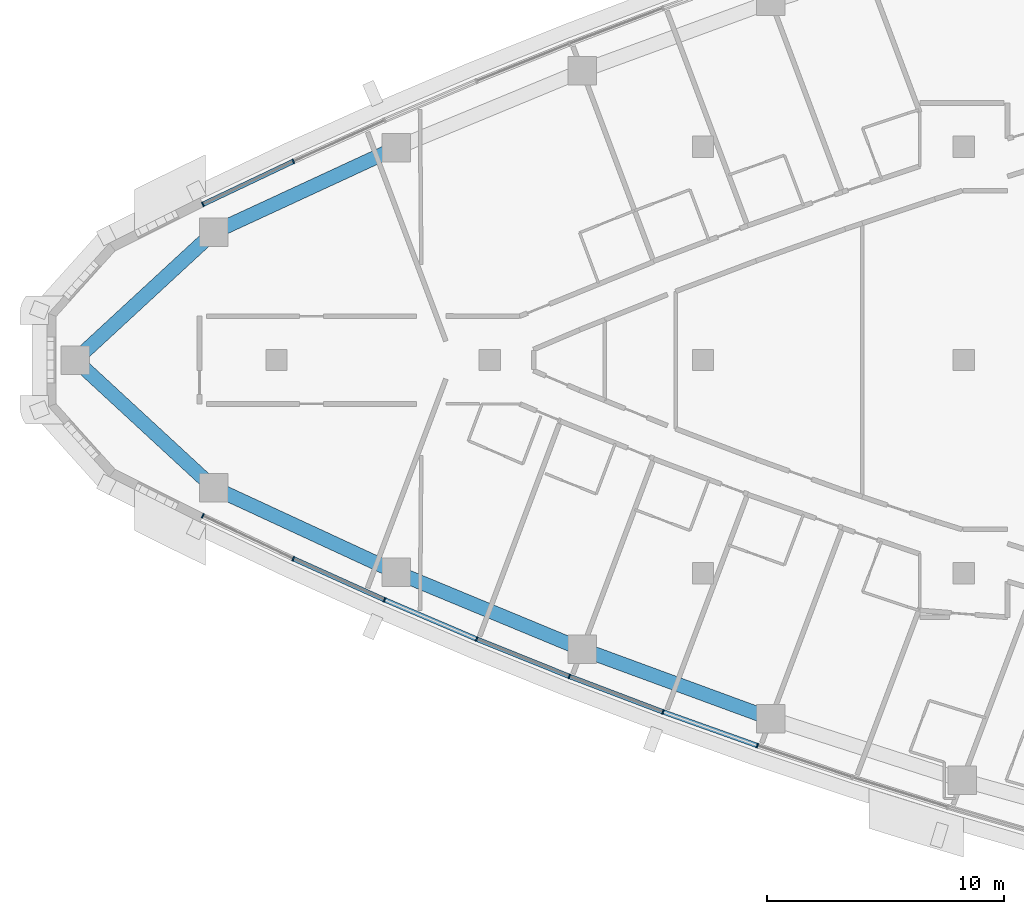
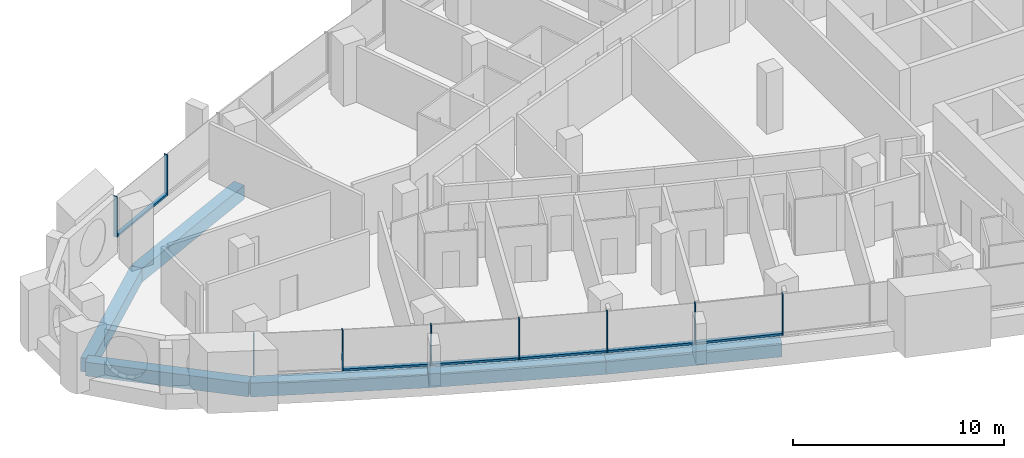
# One storey, part 2 of 16: 15 members, 6 beams, 4 elements without a shape of their own.
"""IFC4 building model written with IfcOpenShell, lengths in metres."""

from ifc_helpers import new_model, si_unit, direction, frame, origin, origin_2d, place, context, subcontext, project, spatial, rectangle, extrude, material, layer, layer_set, material_profile, profile_set, type_object, element, aggregate, save


model = new_model("IFC4")

# Units and contexts
model_context = context("Model", 3, precision=1e-05, world=origin(), true_north=direction((0.0, 1.0)))
body_context = subcontext(model_context, "Body", "Model", "MODEL_VIEW")
ifc_project = project(units=[si_unit("LENGTHUNIT", "METRE"), si_unit("AREAUNIT", "SQUARE_METRE"), si_unit("VOLUMEUNIT", "CUBIC_METRE"), si_unit("PLANEANGLEUNIT", "RADIAN"), si_unit("MASSUNIT", "GRAM", prefix="KILO")], contexts=[model_context])

# Site, building, storey
site_placement = place(None, origin())
site = spatial("IfcSite", under=ifc_project, at=site_placement, CompositionType="ELEMENT")
building_placement = place(site_placement, origin())
building = spatial("IfcBuilding", under=site, at=building_placement, Name="Ostrand Prow Hotel Tower", CompositionType="ELEMENT")
storey_placement = place(building_placement, frame((0.0, 0.0, 249.199951171875)))
storey = spatial("IfcBuildingStorey", under=building, at=storey_placement, Name="L63", CompositionType="ELEMENT", Elevation=249.199951171875)

# Beams
ifc_material_1 = material(Name="Concrete C50/60", Category="concrete")
ifc_material_profile_1 = material_profile(ifc_material_1, rectangle(XDim=0.60009765625, YDim=0.800048828125, at=origin_2d()), Name="RC 600x800")
ifc_profile_set_1 = profile_set([ifc_material_profile_1], Name="Concrete C50/60")
beam_type = type_object("IfcBeamType", Name="Edge beam 600x800 C50/60", PredefinedType="SPANDREL", material=ifc_profile_set_1)
beam_1_placement = place(storey_placement, frame((7.513916015625, 0.0, -0.699951171875), z_axis=(0.734806976358, -0.678276276672, 0.0), x_axis=(0.678276276672, 0.734806976358, 0.0)))
element("IfcBeam", 1, at=beam_1_placement, inside=storey, type_object=beam_type, Name="Edge beam P-S1", PredefinedType="SPANDREL", context=body_context, shape_type="SweptSolid", body=[
    extrude(rectangle(XDim=0.60009765625, YDim=0.800048828125, at=origin_2d()), origin(), (0.0, 0.0, 1.0), 7.95068359375),
])
beam_2_placement = place(storey_placement, frame((13.356201171875, -5.392822265625, -0.699951171875), z_axis=(0.907521936352, -0.420004684544, 0.0), x_axis=(0.420004684544, 0.907521936352, 0.0)))
element("IfcBeam", 2, at=beam_2_placement, inside=storey, type_object=beam_type, Name="Edge beam S1-S2", PredefinedType="SPANDREL", context=body_context, shape_type="SweptSolid", body=[
    extrude(rectangle(XDim=0.60009765625, YDim=0.800048828125, at=origin_2d()), origin(), (0.0, 0.0, 1.0), 8.4873046875),
])
for number, where, z_axis, x_axis, name in (
    (3, (21.05859375, -8.95751953125, -0.699951171875), (0.923890977326, -0.38265580097, 0.0), (0.38265580097, 0.923890977326, 0.0), "Edge beam S2-S3"),
    (4, (28.900146484375, -12.205322265625, -0.699951171875), (0.938684959139, -0.344776083113, 0.0), (0.344776083113, 0.938684959139, 0.0), "Edge beam S3-S4"),
):
    element("IfcBeam", number, at=place(storey_placement, frame(where, z_axis=z_axis, x_axis=x_axis)), inside=storey, type_object=beam_type, Name=name, PredefinedType="SPANDREL", context=body_context, shape_type="SweptSolid", body=[
        extrude(rectangle(XDim=0.60009765625, YDim=0.800048828125, at=origin_2d()), origin(), (0.0, 0.0, 1.0), 8.487548828125),
    ])
beam_3_placement = place(storey_placement, frame((21.05859375, 8.95751953125, -0.699951171875), z_axis=(-0.907521936352, -0.420004684544, 0.0), x_axis=(0.420004684544, -0.907521936352, 0.0)))
element("IfcBeam", 5, at=beam_3_placement, inside=storey, type_object=beam_type, Name="Edge beam N5-N6", PredefinedType="SPANDREL", context=body_context, shape_type="SweptSolid", body=[
    extrude(rectangle(XDim=0.60009765625, YDim=0.800048828125, at=origin_2d()), origin(), (0.0, 0.0, 1.0), 8.4873046875),
])
beam_4_placement = place(storey_placement, frame((13.356201171875, 5.392822265625, -0.699951171875), z_axis=(-0.734806976358, -0.678276276672, 0.0), x_axis=(0.678276276672, -0.734806976358, 0.0)))
element("IfcBeam", 6, at=beam_4_placement, inside=storey, type_object=beam_type, Name="Edge beam N6-P", PredefinedType="SPANDREL", context=body_context, shape_type="SweptSolid", body=[
    extrude(rectangle(XDim=0.60009765625, YDim=0.800048828125, at=origin_2d()), origin(), (0.0, 0.0, 1.0), 7.95068359375),
])

# Curtain wall, members
ifc_material_2 = material(Name="Insulated glass in bronze anodised frame", Category="glass")
ifc_layer = layer(ifc_material_2, 0.199951171875)
ifc_layer_set = layer_set([ifc_layer], Name="Insulated glass in bronze anodised frame")
curtain_wall_type = type_object("IfcCurtainWallType", Name="Strip curtain wall, fritted glass over bronze spandrel", PredefinedType="NOTDEFINED", material=ifc_layer_set)
curtain_wall_1_placement = place(storey_placement, origin())
curtain_wall_1 = element("IfcCurtainWall", 7, at=curtain_wall_1_placement, inside=storey, type_object=curtain_wall_type, Name="CW1 run CWS1", PredefinedType="NOTDEFINED")
ifc_material_3 = material(Name="Bronze anodised aluminium", Category="aluminium")
ifc_material_profile_2 = material_profile(ifc_material_3, rectangle(XDim=0.199951171875, YDim=0.06005859375, at=origin_2d()), Name="Mullion 60x200 bronze anodised aluminium")
ifc_profile_set_2 = profile_set([ifc_material_profile_2], Name="Bronze anodised aluminium")
member_type_1 = type_object("IfcMemberType", Name="Mullion 60x200 bronze anodised aluminium", PredefinedType="MULLION", material=ifc_profile_set_2)
member_1_placement = place(storey_placement, frame((12.893310546875, -6.57080078125, 0.900146484375), z_axis=(0.0, 0.0, 1.0), x_axis=(0.428861030937, 0.903370475577, 0.0)))
member_1 = element("IfcMember", 8, at=member_1_placement, type_object=member_type_1, Name="CW1 mullion 1", PredefinedType="MULLION", context=body_context, shape_type="SweptSolid", body=[
    extrude(rectangle(XDim=0.199951171875, YDim=0.06005859375, at=origin_2d()), origin(), (0.0, 0.0, 1.0), 2.349853515625),
])
member_2_placement = place(storey_placement, frame((16.708740234375, -8.382080078125, 0.900146484375), z_axis=(0.0, 0.0, 1.0), x_axis=(0.41058199404, 0.911823681514, 0.0)))
member_2 = element("IfcMember", 9, at=member_2_placement, type_object=member_type_1, Name="CW1 mullion 2", PredefinedType="MULLION", context=body_context, shape_type="SweptSolid", body=[
    extrude(rectangle(XDim=0.199951171875, YDim=0.06005859375, at=origin_2d()), origin(), (0.0, 0.0, 1.0), 2.349853515625),
])
member_3_placement = place(storey_placement, frame((20.56005859375, -10.116455078125, 0.900146484375), z_axis=(0.0, 0.0, 1.0), x_axis=(0.41058199404, 0.911823681514, 0.0)))
member_3 = element("IfcMember", 10, at=member_3_placement, type_object=member_type_1, Name="CW1 mullion 3", PredefinedType="MULLION", context=body_context, shape_type="SweptSolid", body=[
    extrude(rectangle(XDim=0.199951171875, YDim=0.06005859375, at=origin_2d()), origin(), (0.0, 0.0, 1.0), 2.349853515625),
])

curtain_wall_2_placement = place(storey_placement, origin())
curtain_wall_2 = element("IfcCurtainWall", 11, at=curtain_wall_2_placement, inside=storey, type_object=curtain_wall_type, Name="CW1 run CWS2", PredefinedType="NOTDEFINED")
member_4_placement = place(storey_placement, frame((24.445556640625, -11.772705078125, 0.900146484375), z_axis=(0.0, 0.0, 1.0), x_axis=(0.373533449004, 0.927616710972, 0.0)))
member_4 = element("IfcMember", 12, at=member_4_placement, type_object=member_type_1, Name="CW1 mullion 2", PredefinedType="MULLION", context=body_context, shape_type="SweptSolid", body=[
    extrude(rectangle(XDim=0.199951171875, YDim=0.06005859375, at=origin_2d()), origin(), (0.0, 0.0, 1.0), 2.349853515625),
])
member_5_placement = place(storey_placement, frame((28.363525390625, -13.350341796875, 0.900146484375), z_axis=(0.0, 0.0, 1.0), x_axis=(0.373533449004, 0.927616710972, 0.0)))
member_5 = element("IfcMember", 13, at=member_5_placement, type_object=member_type_1, Name="CW1 mullion 3", PredefinedType="MULLION", context=body_context, shape_type="SweptSolid", body=[
    extrude(rectangle(XDim=0.199951171875, YDim=0.06005859375, at=origin_2d()), origin(), (0.0, 0.0, 1.0), 2.349853515625),
])

curtain_wall_3_placement = place(storey_placement, origin())
curtain_wall_3 = element("IfcCurtainWall", 14, at=curtain_wall_3_placement, inside=storey, type_object=curtain_wall_type, Name="CW1 run CWS3", PredefinedType="NOTDEFINED")
member_6_placement = place(storey_placement, frame((32.3125, -14.848876953125, 0.900146484375), z_axis=(0.0, 0.0, 1.0), x_axis=(0.335877383374, 0.941905718922, 0.0)))
member_6 = element("IfcMember", 15, at=member_6_placement, type_object=member_type_1, Name="CW1 mullion 2", PredefinedType="MULLION", context=body_context, shape_type="SweptSolid", body=[
    extrude(rectangle(XDim=0.199951171875, YDim=0.06005859375, at=origin_2d()), origin(), (0.0, 0.0, 1.0), 2.349853515625),
])
member_7_placement = place(storey_placement, frame((36.291015625, -16.267578125, 0.900146484375), z_axis=(0.0, 0.0, 1.0), x_axis=(0.335877383374, 0.941905718922, 0.0)))
member_7 = element("IfcMember", 16, at=member_7_placement, type_object=member_type_1, Name="CW1 mullion 3", PredefinedType="MULLION", context=body_context, shape_type="SweptSolid", body=[
    extrude(rectangle(XDim=0.199951171875, YDim=0.06005859375, at=origin_2d()), origin(), (0.0, 0.0, 1.0), 2.349853515625),
])

curtain_wall_4_placement = place(storey_placement, origin())
curtain_wall_4 = element("IfcCurtainWall", 17, at=curtain_wall_4_placement, inside=storey, type_object=curtain_wall_type, Name="CW1 run CWN5", PredefinedType="NOTDEFINED")
member_8_placement = place(storey_placement, frame((16.708740234375, 8.382080078125, 0.900146484375), z_axis=(0.0, 0.0, 1.0), x_axis=(0.428861030937, -0.903370475577, 0.0)))
member_8 = element("IfcMember", 18, at=member_8_placement, type_object=member_type_1, Name="CW1 mullion 2", PredefinedType="MULLION", context=body_context, shape_type="SweptSolid", body=[
    extrude(rectangle(XDim=0.199951171875, YDim=0.06005859375, at=origin_2d()), origin(), (0.0, 0.0, 1.0), 2.349853515625),
])
member_9_placement = place(storey_placement, frame((12.893310546875, 6.57080078125, 0.900146484375), z_axis=(0.0, 0.0, 1.0), x_axis=(0.428861030937, -0.903370475577, 0.0)))
member_9 = element("IfcMember", 19, at=member_9_placement, type_object=member_type_1, Name="CW1 mullion 3", PredefinedType="MULLION", context=body_context, shape_type="SweptSolid", body=[
    extrude(rectangle(XDim=0.199951171875, YDim=0.06005859375, at=origin_2d()), origin(), (0.0, 0.0, 1.0), 2.349853515625),
])

# Member
ifc_material_4 = material(Name="Bronze anodised aluminium", Category="aluminium")
ifc_material_profile_3 = material_profile(ifc_material_4, rectangle(XDim=0.199951171875, YDim=0.1201171875, at=origin_2d()), Name="Transom 120x200 bronze anodised aluminium")
ifc_profile_set_3 = profile_set([ifc_material_profile_3], Name="Bronze anodised aluminium")
member_type_2 = type_object("IfcMemberType", Name="Transom 120x200 bronze anodised aluminium", PredefinedType="USERDEFINED", material=ifc_profile_set_3)
member_10_placement = place(storey_placement, frame((16.736083984375, -8.39453125, 0.9599609375), z_axis=(0.911832617051, -0.410562149353, 0.0), x_axis=(0.410562149353, 0.911832617051, 0.0)))
member_10 = element("IfcMember", 20, at=member_10_placement, type_object=member_type_2, Name="CW1 transom 2.1", ObjectType="TRANSOM", PredefinedType="USERDEFINED", context=body_context, shape_type="SweptSolid", body=[
    extrude(rectangle(XDim=0.199951171875, YDim=0.1201171875, at=origin_2d()), origin(), (0.0, 0.0, 1.0), 4.163818359375),
])

aggregate(curtain_wall_1, [member_1, member_2, member_3, member_10])

member_11_placement = place(storey_placement, frame((20.587646484375, -10.128173828125, 0.9599609375), z_axis=(0.919904541337, -0.392142365509, 0.0), x_axis=(0.392142365509, 0.919904541337, 0.0)))
member_11 = element("IfcMember", 21, at=member_11_placement, type_object=member_type_2, Name="CW1 transom 1.1", ObjectType="TRANSOM", PredefinedType="USERDEFINED", context=body_context, shape_type="SweptSolid", body=[
    extrude(rectangle(XDim=0.199951171875, YDim=0.1201171875, at=origin_2d()), origin(), (0.0, 0.0, 1.0), 4.163818359375),
])

member_12_placement = place(storey_placement, frame((24.473388671875, -11.783935546875, 0.9599609375), z_axis=(0.927625049372, -0.373512741119, 0.0), x_axis=(0.373512741119, 0.927625049372, 0.0)))
member_12 = element("IfcMember", 22, at=member_12_placement, type_object=member_type_2, Name="CW1 transom 2.1", ObjectType="TRANSOM", PredefinedType="USERDEFINED", context=body_context, shape_type="SweptSolid", body=[
    extrude(rectangle(XDim=0.199951171875, YDim=0.1201171875, at=origin_2d()), origin(), (0.0, 0.0, 1.0), 4.16357421875),
])

aggregate(curtain_wall_2, [member_4, member_5, member_11, member_12])

member_13_placement = place(storey_placement, frame((28.3916015625, -13.361083984375, 0.9599609375), z_axis=(0.934960644813, -0.354751451936, 0.0), x_axis=(0.354751451936, 0.934960644813, 0.0)))
member_13 = element("IfcMember", 23, at=member_13_placement, type_object=member_type_2, Name="CW1 transom 1.1", ObjectType="TRANSOM", PredefinedType="USERDEFINED", context=body_context, shape_type="SweptSolid", body=[
    extrude(rectangle(XDim=0.199951171875, YDim=0.1201171875, at=origin_2d()), origin(), (0.0, 0.0, 1.0), 4.16357421875),
])

member_14_placement = place(storey_placement, frame((32.3408203125, -14.85888671875, 0.9599609375), z_axis=(0.941911594104, -0.335860907061, 0.0), x_axis=(0.335860907061, 0.941911594104, 0.0)))
member_14 = element("IfcMember", 24, at=member_14_placement, type_object=member_type_2, Name="CW1 transom 2.1", ObjectType="TRANSOM", PredefinedType="USERDEFINED", context=body_context, shape_type="SweptSolid", body=[
    extrude(rectangle(XDim=0.199951171875, YDim=0.1201171875, at=origin_2d()), origin(), (0.0, 0.0, 1.0), 4.163818359375),
])

aggregate(curtain_wall_3, [member_6, member_7, member_13, member_14])

member_15_placement = place(storey_placement, frame((16.681640625, 8.369384765625, 0.9599609375), z_axis=(-0.903364977925, -0.428872611226, 0.0), x_axis=(0.428872611226, -0.903364977925, 0.0)))
member_15 = element("IfcMember", 25, at=member_15_placement, type_object=member_type_2, Name="CW1 transom 2.1", ObjectType="TRANSOM", PredefinedType="USERDEFINED", context=body_context, shape_type="SweptSolid", body=[
    extrude(rectangle(XDim=0.199951171875, YDim=0.1201171875, at=origin_2d()), origin(), (0.0, 0.0, 1.0), 4.16357421875),
])

aggregate(curtain_wall_4, [member_8, member_9, member_15])

save(model, "model.ifc")
